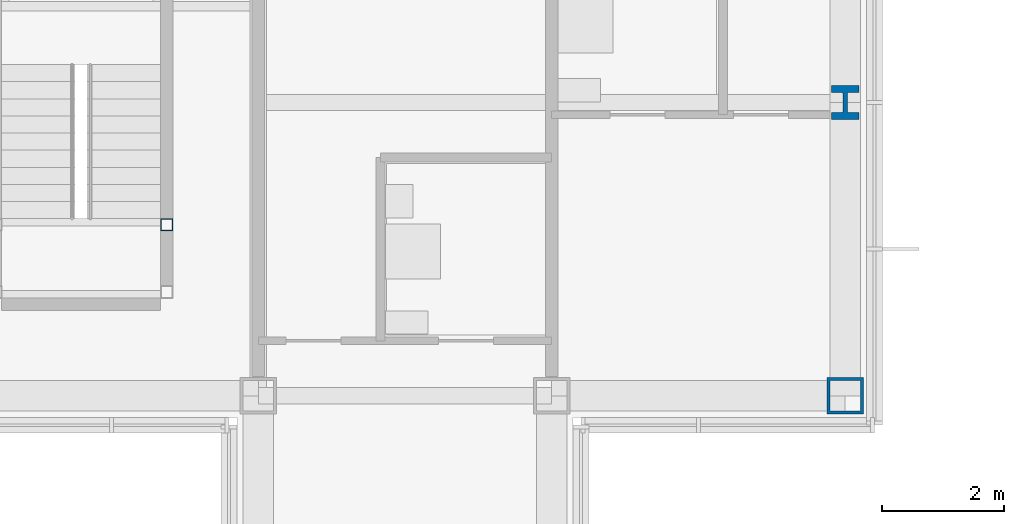
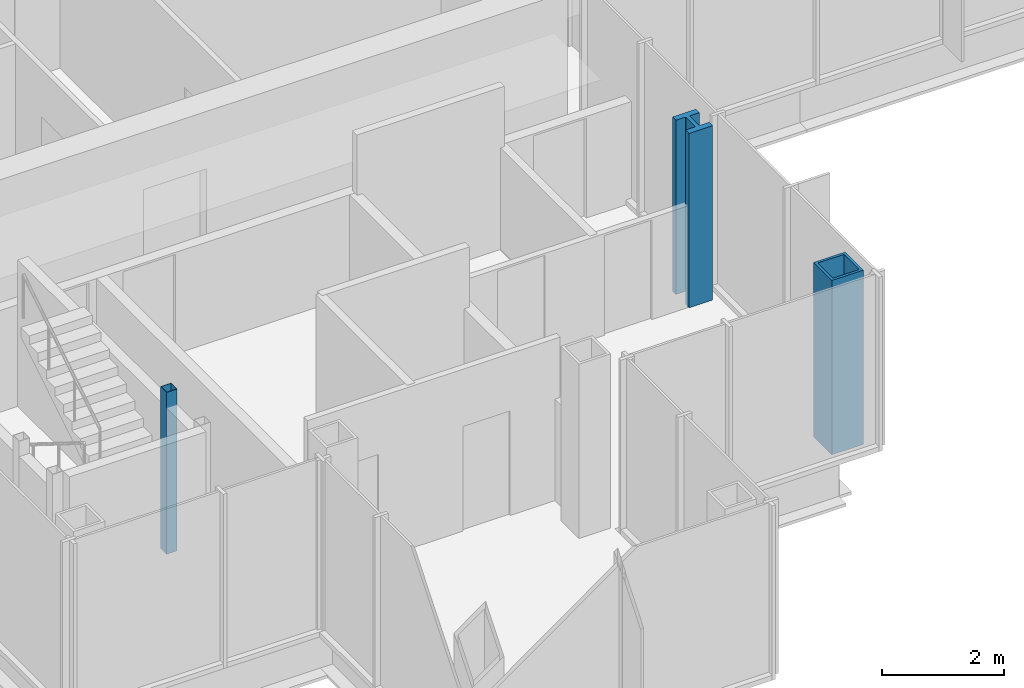
# One storey, part 2 of 15: 3 columns.
"""IFC4 building model written with IfcOpenShell, lengths in metres."""

import ifcopenshell
import ifcopenshell.guid

model = None  # the IFC model being written
_history = None  # IfcOwnerHistory: only IFC2X3 demands one
_inside = {}  # id of a spatial element -> (the spatial element, [elements in it])
_under = {}  # id of a project, library or spatial element -> (it, [spatial elements below it])
_declared = {}  # id of a project -> (the project, [libraries it declares])
_typed = {}  # id of a type object -> (the type object, [elements of that type])
_made_of = {}  # id of a material, layer set ... -> (it, [elements and type objects made of it])


def new_model(schema):
    """Start an empty IFC model of exactly this schema.

    Asked for "IFC4X3", IfcOpenShell would pick the latest addendum, in which some entities
    have other attributes; the version numbers below select the first issue.
    IFC2X3 requires an IfcOwnerHistory on every rooted entity: one is made here for all.
    """
    global model, _history
    if schema == "IFC4X3":
        model = ifcopenshell.file(schema_version=(4, 3, 0, 0))
    else:
        model = ifcopenshell.file(schema=schema)
    _inside.clear()
    _under.clear()
    _declared.clear()
    _typed.clear()
    _made_of.clear()
    _history = None
    if model.schema == "IFC2X3":
        org = make("IfcOrganization", Name="unknown")
        user = make(
            "IfcPersonAndOrganization",
            ThePerson=make("IfcPerson", FamilyName="unknown"),
            TheOrganization=org,
        )
        app = make(
            "IfcApplication",
            ApplicationDeveloper=org,
            Version="unknown",
            ApplicationFullName="unknown",
            ApplicationIdentifier="unknown",
        )
        _history = make(
            "IfcOwnerHistory",
            OwningUser=user,
            OwningApplication=app,
            ChangeAction="ADDED",
            CreationDate=0,
        )
    return model


def make(cls, **values):
    """One entity of the class cls with the attributes given. An attribute that is None is left unset."""
    return model.create_entity(
        cls, **{name: value for name, value in values.items() if value is not None}
    )


def rooted(cls, **values):
    """An entity with a GlobalId (a new one), such as an element, a storey or a relation."""
    return make(cls, GlobalId=ifcopenshell.guid.new(), OwnerHistory=_history, **values)


def si_unit(unit_type, name, prefix=None):
    """IfcSIUnit, for example si_unit("LENGTHUNIT", "METRE", prefix="MILLI")."""
    return make("IfcSIUnit", UnitType=unit_type, Prefix=prefix, Name=name)


def assignment(units):
    """IfcUnitAssignment: the units of a project."""
    return None if units is None else make("IfcUnitAssignment", Units=units)


def point(xyz):
    """IfcCartesianPoint."""
    return None if xyz is None else make("IfcCartesianPoint", Coordinates=xyz)


def direction(xyz):
    """IfcDirection."""
    return None if xyz is None else make("IfcDirection", DirectionRatios=xyz)


def frame(location, z_axis=None, x_axis=None):
    """IfcAxis2Placement3D, a coordinate frame: its origin and axes. An axis left out is left unset."""
    return make(
        "IfcAxis2Placement3D",
        Location=point(location),
        Axis=direction(z_axis),
        RefDirection=direction(x_axis),
    )


def frame_2d(location, x_axis=None):
    """IfcAxis2Placement2D, a coordinate frame in the plane: its origin and x axis."""
    return make(
        "IfcAxis2Placement2D", Location=point(location), RefDirection=direction(x_axis)
    )


def origin():
    """The frame at (0, 0, 0) with its axes left unset."""
    return frame((0.0, 0.0, 0.0))


def origin_2d():
    """The frame at (0, 0) in the plane with its x axis left unset."""
    return frame_2d((0.0, 0.0))


def place(relative_to, where):
    """IfcLocalPlacement: puts the frame where relative to a parent placement (None: the world)."""
    return make(
        "IfcLocalPlacement", PlacementRelTo=relative_to, RelativePlacement=where
    )


def context(
    kind, dimensions, precision=None, world=None, true_north=None, identifier=None
):
    """IfcGeometricRepresentationContext, for example the 3D "Model" context."""
    return make(
        "IfcGeometricRepresentationContext",
        ContextIdentifier=identifier,
        ContextType=kind,
        CoordinateSpaceDimension=dimensions,
        Precision=precision,
        WorldCoordinateSystem=world,
        TrueNorth=true_north,
    )


def subcontext(parent, identifier, kind, view, scale=None):
    """IfcGeometricRepresentationSubContext, for example "Body" below "Model"."""
    return make(
        "IfcGeometricRepresentationSubContext",
        ContextIdentifier=identifier,
        ContextType=kind,
        ParentContext=parent,
        TargetScale=scale,
        TargetView=view,
    )


def project(units=None, contexts=None):
    """IfcProject with its units and contexts."""
    return rooted(
        "IfcProject",
        Name="project",
        RepresentationContexts=contexts,
        UnitsInContext=assignment(units),
    )


def spatial(cls, under=None, at=None, **own):
    """A site, building, storey or space (cls), placed at a placement, below another one or the project."""
    s = rooted(cls, ObjectPlacement=at, **own)
    if under is not None:
        _under.setdefault(under.id(), (under, []))[1].append(s)
    return s


def profile(cls, at=None, kind="AREA", **sizes):
    """A parametric profile (cls). Its sizes go by their IFC names, for example OverallWidth=200.0."""
    return make(cls, ProfileType=kind, Position=at, **sizes)


def hollow_rectangle(**sizes):
    """IfcRectangleHollowProfileDef."""
    return profile("IfcRectangleHollowProfileDef", **sizes)


def i_section(**sizes):
    """IfcIShapeProfileDef."""
    return profile("IfcIShapeProfileDef", **sizes)


def extrude(swept, where, along, depth):
    """IfcExtrudedAreaSolid: the profile swept, set in the frame where, extruded along a direction by depth."""
    return make(
        "IfcExtrudedAreaSolid",
        SweptArea=swept,
        Position=where,
        ExtrudedDirection=direction(along),
        Depth=depth,
    )


def shape(context_of_items, identifier, shape_type, items):
    """IfcShapeRepresentation: the items that make up one representation, for example the "Body"."""
    return make(
        "IfcShapeRepresentation",
        ContextOfItems=context_of_items,
        RepresentationIdentifier=identifier,
        RepresentationType=shape_type,
        Items=items,
    )


def material(Name=None, Category=None):
    """IfcMaterial."""
    return make("IfcMaterial", Name=Name, Category=Category)


def material_profile(
    of_material, cross_section, Name=None, Category=None, Priority=None
):
    """IfcMaterialProfile: a cross section and its material."""
    return make(
        "IfcMaterialProfile",
        Name=Name,
        Material=of_material,
        Profile=cross_section,
        Priority=Priority,
        Category=Category,
    )


def profile_set(profiles, Name=None, composite=None):
    """IfcMaterialProfileSet."""
    return make(
        "IfcMaterialProfileSet",
        Name=Name,
        MaterialProfiles=profiles,
        CompositeProfile=composite,
    )


def made_of(thing, what):
    """Note that an element or type object is made of a material, layer set ...; save() writes the relation."""
    if what is not None:
        _made_of.setdefault(what.id(), (what, []))[1].append(thing)
    return thing


def type_object(cls, material=None, **own):
    """A type object (cls), such as IfcWallType, which elements share."""
    return made_of(rooted(cls, **own), material)


def element(
    cls,
    number,
    at=None,
    inside=None,
    cuts=None,
    type_object=None,
    material=None,
    context=None,
    identifier="Body",
    shape_type=None,
    held_by="IfcProductDefinitionShape",
    body=None,
    shapes=None,
    **own,
):
    """One element of the class cls, such as IfcWall. Its Tag is "e" and its number.

    at: its placement. inside: the storey or other place that contains it. cuts: it is an
    opening in that element (IfcRelVoidsElement). A single representation is given by context,
    identifier, shape_type and body (its items); several are given by shapes. held_by: the class
    of the entity that holds the representations. save() writes the other relations.
    """
    e = rooted(cls, Tag="e%d" % number, ObjectPlacement=at, **own)
    if body is not None:
        shapes = [shape(context, identifier, shape_type, body)]
    if shapes is not None:
        e.Representation = make(held_by, Representations=shapes)
    if inside is not None:
        _inside.setdefault(inside.id(), (inside, []))[1].append(e)
    if cuts is not None:
        rooted(
            "IfcRelVoidsElement", RelatingBuildingElement=cuts, RelatedOpeningElement=e
        )
    if type_object is not None:
        _typed.setdefault(type_object.id(), (type_object, []))[1].append(e)
    return made_of(e, material)


def aggregate(whole, parts):
    """IfcRelAggregates: a whole, such as a stair, and the parts it consists of."""
    return rooted("IfcRelAggregates", RelatingObject=whole, RelatedObjects=parts)


def save(model, path):
    """Write the relations noted so far, then the file.

    IfcRelAggregates (storeys below a building ...), IfcRelContainedInSpatialStructure (elements
    in a storey), IfcRelDefinesByType, IfcRelAssociatesMaterial and IfcRelDeclares: one each for
    every whole, place, type object, material and project.
    """
    for whole, parts in _under.values():
        aggregate(whole, parts)
    for where, things in _inside.values():
        rooted(
            "IfcRelContainedInSpatialStructure",
            RelatedElements=things,
            RelatingStructure=where,
        )
    for kind, things in _typed.values():
        rooted("IfcRelDefinesByType", RelatedObjects=things, RelatingType=kind)
    for what, things in _made_of.values():
        rooted("IfcRelAssociatesMaterial", RelatedObjects=things, RelatingMaterial=what)
    for by, libraries in _declared.values():
        rooted("IfcRelDeclares", RelatingContext=by, RelatedDefinitions=libraries)
    model.write(path)


model = new_model("IFC4")

# Units and contexts
model_context = context("Model", 3, precision=1e-05, world=origin(), true_north=direction((0.0, 1.0)))
body_context = subcontext(model_context, "Body", "Model", "MODEL_VIEW")
ifc_project = project(units=[si_unit("LENGTHUNIT", "METRE"), si_unit("AREAUNIT", "SQUARE_METRE"), si_unit("VOLUMEUNIT", "CUBIC_METRE"), si_unit("PLANEANGLEUNIT", "RADIAN"), si_unit("MASSUNIT", "GRAM", prefix="KILO")], contexts=[model_context])

# Site, building, storey
site_placement = place(None, origin())
site = spatial("IfcSite", under=ifc_project, at=site_placement, CompositionType="ELEMENT")
building_placement = place(site_placement, origin())
building = spatial("IfcBuilding", under=site, at=building_placement, Name="Kvirike Care Tower", CompositionType="ELEMENT")
storey_placement = place(building_placement, frame((0.0, 0.0, 240.0)))
storey = spatial("IfcBuildingStorey", under=building, at=storey_placement, Name="L66", CompositionType="ELEMENT", Elevation=240.0)

# Columns
ifc_material_1 = material(Name="Steel S460", Category="steel")
ifc_material_profile_1 = material_profile(ifc_material_1, hollow_rectangle(XDim=0.60009765625, YDim=0.60009765625, WallThickness=0.050048828125, at=origin_2d()), Name="BX 600x600x50")
ifc_profile_set_1 = profile_set([ifc_material_profile_1], Name="Steel S460")
column_type_1 = type_object("IfcColumnType", Name="COLUMN BX 600x600x50", PredefinedType="COLUMN", material=ifc_profile_set_1)
column_1_placement = place(storey_placement, frame((28.800048828125, 19.199951171875, 0.0), z_axis=(0.0, 0.0, 1.0), x_axis=(0.0, 1.0, 0.0)))
element("IfcColumn", 1, at=column_1_placement, inside=storey, type_object=column_type_1, Name="Column E9 L66", PredefinedType="COLUMN", context=body_context, shape_type="SweptSolid", body=[
    extrude(hollow_rectangle(XDim=0.60009765625, YDim=0.60009765625, WallThickness=0.050048828125, at=origin_2d()), origin(), (0.0, 0.0, 1.0), 3.5),
])
ifc_material_2 = material(Name="Steel S460", Category="steel")
ifc_material_profile_2 = material_profile(ifc_material_2, i_section(OverallWidth=0.447998046875, OverallDepth=0.550048828125, WebThickness=0.072021484375, FlangeThickness=0.114990234375, FilletRadius=0.014892578125, at=origin_2d()), Name="HD 400x990")
ifc_profile_set_2 = profile_set([ifc_material_profile_2], Name="Steel S460")
column_type_2 = type_object("IfcColumnType", Name="COLUMN HD 400x990", PredefinedType="COLUMN", material=ifc_profile_set_2)
column_2_placement = place(storey_placement, frame((28.800048828125, 24.0, 0.0), z_axis=(0.0, 0.0, 1.0), x_axis=(1.0, 0.0, 0.0)))
element("IfcColumn", 2, at=column_2_placement, inside=storey, type_object=column_type_2, Name="Column F9 L66", PredefinedType="COLUMN", context=body_context, shape_type="SweptSolid", body=[
    extrude(i_section(OverallWidth=0.447998046875, OverallDepth=0.550048828125, WebThickness=0.072021484375, FlangeThickness=0.114990234375, FilletRadius=0.014892578125, at=origin_2d()), origin(), (0.0, 0.0, 1.0), 3.5),
])
ifc_material_3 = material(Name="Steel S460", Category="steel")
ifc_material_profile_3 = material_profile(ifc_material_3, hollow_rectangle(XDim=0.199951171875, YDim=0.199951171875, WallThickness=0.008056640625, at=origin_2d()), Name="SHS 200x200x8")
ifc_profile_set_3 = profile_set([ifc_material_profile_3], Name="Steel S460")
column_type_3 = type_object("IfcColumnType", Name="STAIR POST SHS 200x200x8", PredefinedType="COLUMN", material=ifc_profile_set_3)
column_3_placement = place(storey_placement, frame((17.699951171875, 22.0, 0.0), z_axis=(0.0, 0.0, 1.0), x_axis=(1.0, 0.0, 0.0)))
element("IfcColumn", 3, at=column_3_placement, inside=storey, type_object=column_type_3, Name="Stair 5 post 4 L66", PredefinedType="COLUMN", context=body_context, shape_type="SweptSolid", body=[
    extrude(hollow_rectangle(XDim=0.199951171875, YDim=0.199951171875, WallThickness=0.008056640625, at=origin_2d()), origin(), (0.0, 0.0, 1.0), 3.25),
])

save(model, "model.ifc")
